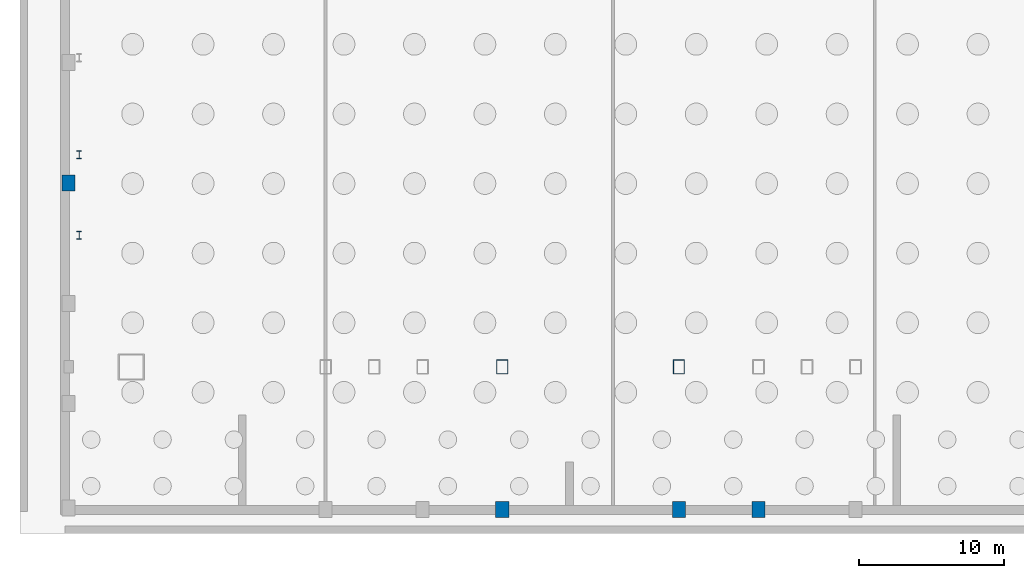
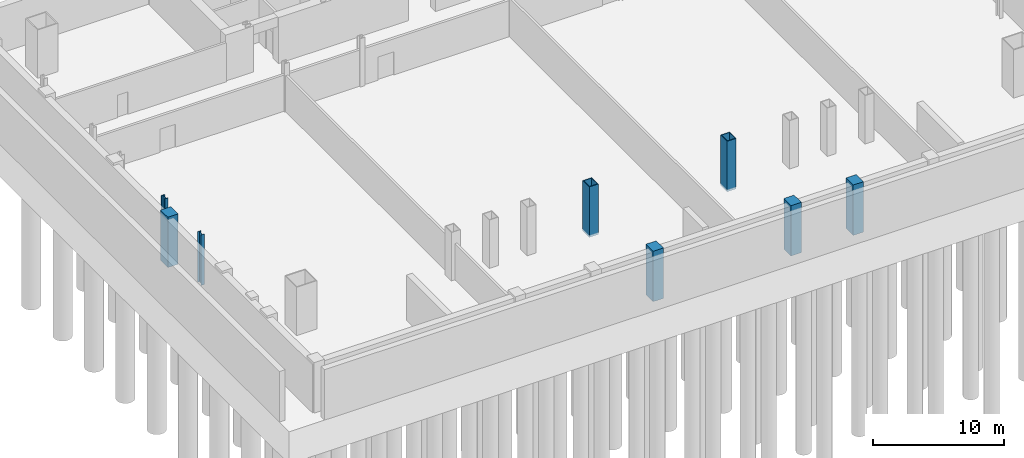
# One storey, part 3 of 11: 8 columns.
"""IFC4 building model written with IfcOpenShell, lengths in metres."""

from ifc_helpers import new_model, si_unit, direction, frame, origin, origin_2d, place, context, subcontext, project, spatial, rectangle, hollow_rectangle, i_section, extrude, material, material_profile, profile_set, type_object, element, save


model = new_model("IFC4")

# Units and contexts
model_context = context("Model", 3, precision=1e-05, world=origin(), true_north=direction((0.0, 1.0)))
body_context = subcontext(model_context, "Body", "Model", "MODEL_VIEW")
ifc_project = project(units=[si_unit("LENGTHUNIT", "METRE"), si_unit("AREAUNIT", "SQUARE_METRE"), si_unit("VOLUMEUNIT", "CUBIC_METRE"), si_unit("PLANEANGLEUNIT", "RADIAN"), si_unit("MASSUNIT", "GRAM", prefix="KILO")], contexts=[model_context])

# Site, building, storey
site_placement = place(None, origin())
site = spatial("IfcSite", under=ifc_project, at=site_placement, CompositionType="ELEMENT")
building_placement = place(site_placement, origin())
building = spatial("IfcBuilding", under=site, at=building_placement, Name="Khoronbel Lancet Exchange", CompositionType="ELEMENT")
storey_placement = place(building_placement, frame((0.0, 0.0, -9.0)))
storey = spatial("IfcBuildingStorey", under=building, at=storey_placement, Name="B2", CompositionType="ELEMENT", Elevation=-9.0)

# Columns
ifc_material_1 = material(Name="Steel S460", Category="steel")
ifc_material_profile_1 = material_profile(ifc_material_1, hollow_rectangle(XDim=0.800048828125, YDim=1.0, WallThickness=0.054931640625, at=origin_2d()), Name="BOX 1000x800x55")
ifc_profile_set_1 = profile_set([ifc_material_profile_1], Name="Steel S460")
column_type_1 = type_object("IfcColumnType", Name="COL-EC1", PredefinedType="COLUMN", material=ifc_profile_set_1)
for number, where, z_axis, x_axis, name in (
    (1, (30.375, 10.14990234375, -0.199951171875), (0.0, 0.0, 1.0), (1.0, 0.0, 0.0), "Structural column SC-C1 B2"),
    (2, (42.52490234375, 10.14990234375, -0.199951171875), (0.0, 0.0, 1.0), (1.0, 0.0, 0.0), "Structural column SC-C2 B2"),
):
    element("IfcColumn", number, at=place(storey_placement, frame(where, z_axis=z_axis, x_axis=x_axis)), inside=storey, type_object=column_type_1, Name=name, PredefinedType="COLUMN", context=body_context, shape_type="SweptSolid", body=[
        extrude(hollow_rectangle(XDim=0.800048828125, YDim=1.0, WallThickness=0.054931640625, at=origin_2d()), origin(), (0.0, 0.0, 1.0), 4.699951171875),
    ])
ifc_material_2 = material(Name="Steel S355", Category="steel")
ifc_material_profile_2 = material_profile(ifc_material_2, i_section(OverallWidth=0.300048828125, OverallDepth=0.550048828125, WebThickness=0.014892578125, FlangeThickness=0.029052734375, at=origin_2d()), Name="HEB 550")
ifc_profile_set_2 = profile_set([ifc_material_profile_2], Name="Steel S355")
column_type_2 = type_object("IfcColumnType", Name="COL-LC1", PredefinedType="COLUMN", material=ifc_profile_set_2)
for number, where, z_axis, x_axis, name in (
    (3, (1.27001953125, 19.199951171875, -0.199951171875), (0.0, 0.0, 1.0), (1.0, 0.0, 0.0), "Structural column WC-1 B2"),
    (4, (1.27001953125, 24.75, -0.199951171875), (0.0, 0.0, 1.0), (1.0, 0.0, 0.0), "Structural column WC-2 B2"),
):
    element("IfcColumn", number, at=place(storey_placement, frame(where, z_axis=z_axis, x_axis=x_axis)), inside=storey, type_object=column_type_2, Name=name, PredefinedType="COLUMN", context=body_context, shape_type="SweptSolid", body=[
        extrude(i_section(OverallWidth=0.300048828125, OverallDepth=0.550048828125, WebThickness=0.014892578125, FlangeThickness=0.029052734375, at=origin_2d()), origin(), (0.0, 0.0, 1.0), 4.699951171875),
    ])
ifc_material_3 = material(Name="Concrete C60/75", Category="concrete")
ifc_material_profile_3 = material_profile(ifc_material_3, rectangle(XDim=0.89990234375, YDim=1.10009765625, at=origin_2d()), Name="RC 900x1100")
ifc_profile_set_3 = profile_set([ifc_material_profile_3], Name="Concrete C60/75")
column_type_3 = type_object("IfcColumnType", Name="COL-PIL1", PredefinedType="PILASTER", material=ifc_profile_set_3)
for number, where, z_axis, x_axis, name in (
    (5, (0.550048828125, 22.800048828125, -0.199951171875), (0.0, 0.0, 1.0), (1.0, 0.0, 0.0), "Podium Gothic colonnade pilaster W2 B2"),
    (6, (30.375, 0.35009765625, -0.199951171875), (0.0, 0.0, 1.0), (1.0, 0.0, 0.0), "Substructure south perimeter column SB3 B2"),
    (7, (42.52490234375, 0.35009765625, -0.199951171875), (0.0, 0.0, 1.0), (1.0, 0.0, 0.0), "Substructure south perimeter column SB4 B2"),
    (8, (48.0, 0.35009765625, -0.199951171875), (0.0, 0.0, 1.0), (1.0, 0.0, 0.0), "Substructure south perimeter column SB5 B2"),
):
    element("IfcColumn", number, at=place(storey_placement, frame(where, z_axis=z_axis, x_axis=x_axis)), inside=storey, type_object=column_type_3, Name=name, PredefinedType="PILASTER", context=body_context, shape_type="SweptSolid", body=[
        extrude(rectangle(XDim=0.89990234375, YDim=1.10009765625, at=origin_2d()), origin(), (0.0, 0.0, 1.0), 4.699951171875),
    ])

save(model, "model.ifc")
